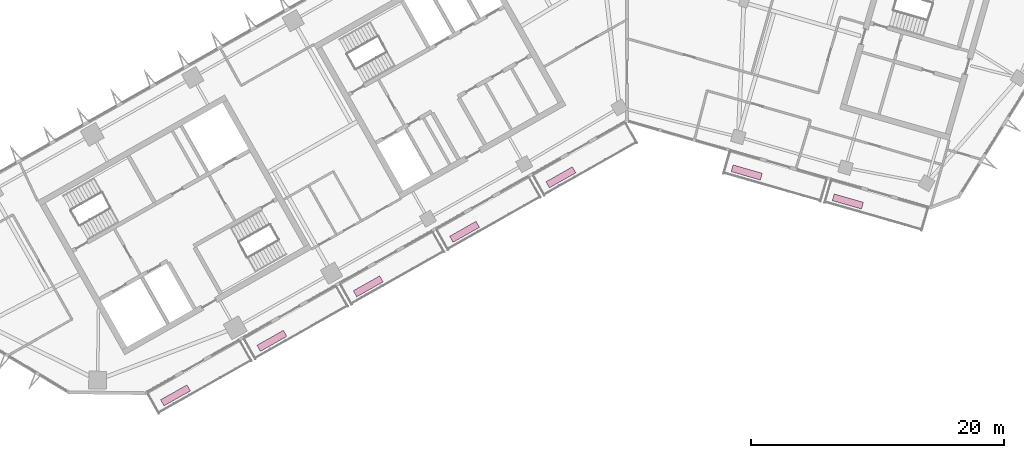
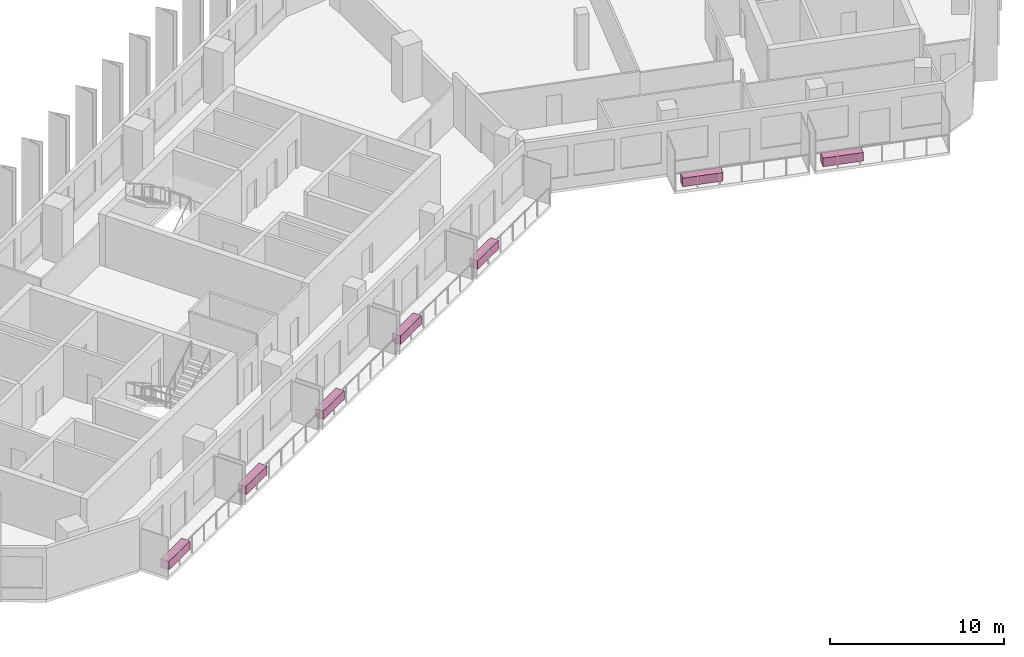
# One storey, part 12 of 12: 7 furnishings.
"""IFC4 building model written with IfcOpenShell, lengths in metres."""

from ifc_helpers import new_model, si_unit, direction, frame, origin, origin_2d, place, context, subcontext, project, spatial, rectangle, extrude, material, type_object, element, save


model = new_model("IFC4")

# Units and contexts
model_context = context("Model", 3, precision=1e-05, world=origin(), true_north=direction((0.0, 1.0)))
body_context = subcontext(model_context, "Body", "Model", "MODEL_VIEW")
ifc_project = project(units=[si_unit("LENGTHUNIT", "METRE"), si_unit("AREAUNIT", "SQUARE_METRE"), si_unit("VOLUMEUNIT", "CUBIC_METRE"), si_unit("PLANEANGLEUNIT", "RADIAN"), si_unit("MASSUNIT", "GRAM", prefix="KILO")], contexts=[model_context])

# Site, building, storey
site_placement = place(None, origin())
site = spatial("IfcSite", under=ifc_project, at=site_placement, CompositionType="ELEMENT")
building_placement = place(site_placement, origin())
building = spatial("IfcBuilding", under=site, at=building_placement, Name="Binnacle Exchange Tower", CompositionType="ELEMENT")
storey_placement = place(building_placement, frame((0.0, 0.0, 246.5)))
storey = spatial("IfcBuildingStorey", under=building, at=storey_placement, Name="L54", CompositionType="ELEMENT", Elevation=246.5)

# Furnishings
ifc_material = material(Name="Concrete C35/45", Category="concrete")
furnishing_element_type = type_object("IfcFurnishingElementType", Name="PLANTER 2400x550x600", material=ifc_material)
for number, where, z_axis, x_axis, name in (
    (1, (-35.698486328125, 26.2861328125, 0.0), (0.0, 0.0, 1.0), (0.87035569594, 0.492423560103, 0.0), "Planter G01-B00a L54"),
    (2, (-28.078857421875, 30.59716796875, 0.0), (0.0, 0.0, 1.0), (0.87035569594, 0.492423560103, 0.0), "Planter G01-B01a L54"),
    (3, (-20.459228515625, 34.908203125, 0.0), (0.0, 0.0, 1.0), (0.87035569594, 0.492423560103, 0.0), "Planter G01-B02a L54"),
    (4, (-12.839599609375, 39.218994140625, 0.0), (0.0, 0.0, 1.0), (0.87035569594, 0.492423560103, 0.0), "Planter G01-B03a L54"),
    (5, (-5.22021484375, 43.530029296875, 0.0), (0.0, 0.0, 1.0), (0.87035569594, 0.492423560103, 0.0), "Planter G01-B04a L54"),
    (6, (9.474609375, 43.909912109375, 0.0), (0.0, 0.0, 1.0), (0.961261695938, -0.275637355817, 0.0), "Planter G02-B01a L54"),
    (7, (17.47265625, 41.61669921875, 0.0), (0.0, 0.0, 1.0), (0.961261695938, -0.275637355817, 0.0), "Planter G02-B02a L54"),
):
    element("IfcFurnishingElement", number, at=place(storey_placement, frame(where, z_axis=z_axis, x_axis=x_axis)), inside=storey, type_object=furnishing_element_type, Name=name, ObjectType="PLANTER", context=body_context, shape_type="SweptSolid", body=[
        extrude(rectangle(XDim=2.39990234375, YDim=0.550048828125, at=origin_2d()), origin(), (0.0, 0.0, 1.0), 0.60009765625),
    ])

save(model, "model.ifc")
